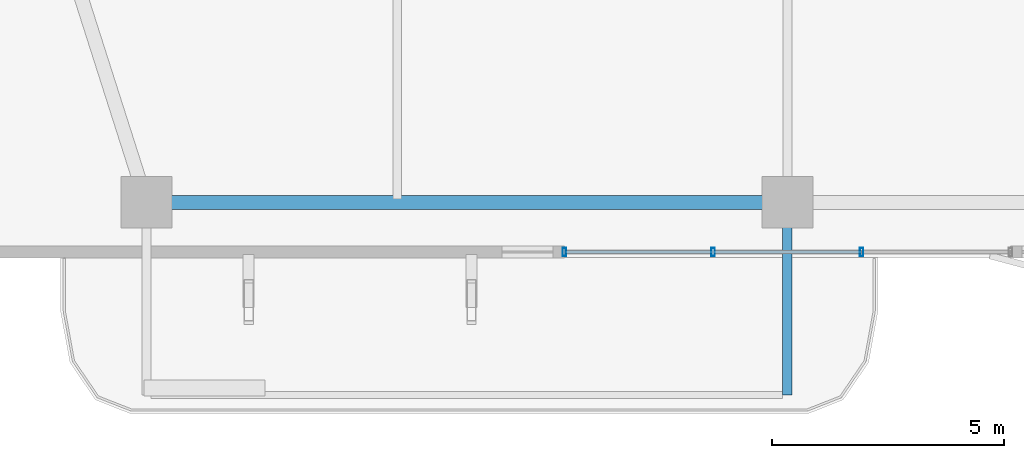
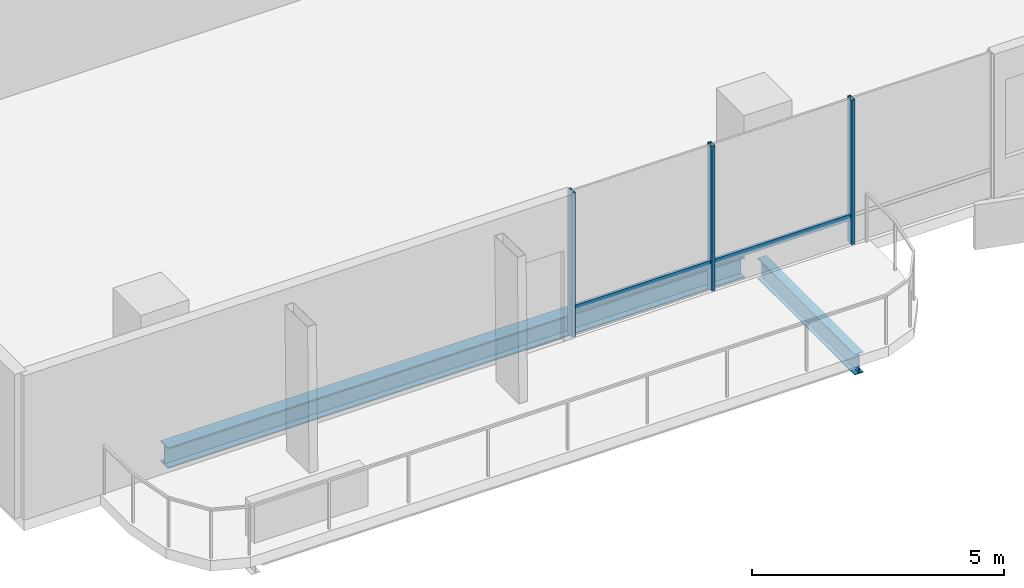
# One storey, part 2 of 25: 5 members, 2 beams, 1 element without a shape of its own.
"""IFC4 building model written with IfcOpenShell, lengths in metres."""

from ifc_helpers import new_model, si_unit, direction, frame, origin, origin_2d, place, context, subcontext, project, spatial, hollow_rectangle, i_section, extrude, material, layer, layer_set, material_profile, profile_set, type_object, element, aggregate, save


model = new_model("IFC4")

# Units and contexts
model_context = context("Model", 3, precision=1e-05, world=origin(), true_north=direction((0.0, 1.0)))
body_context = subcontext(model_context, "Body", "Model", "MODEL_VIEW")
ifc_project = project(units=[si_unit("LENGTHUNIT", "METRE"), si_unit("AREAUNIT", "SQUARE_METRE"), si_unit("VOLUMEUNIT", "CUBIC_METRE"), si_unit("PLANEANGLEUNIT", "RADIAN"), si_unit("MASSUNIT", "GRAM", prefix="KILO")], contexts=[model_context])

# Site, building, storey
site_placement = place(None, origin())
site = spatial("IfcSite", under=ifc_project, at=site_placement, CompositionType="ELEMENT")
building_placement = place(site_placement, origin())
building = spatial("IfcBuilding", under=site, at=building_placement, Name="Belovzor Exchange Tower", CompositionType="ELEMENT")
storey_placement = place(building_placement, frame((0.0, 0.0, 172.050048828125)))
storey = spatial("IfcBuildingStorey", under=building, at=storey_placement, Name="L42", CompositionType="ELEMENT", Elevation=172.050048828125)

# Beam
ifc_material_1 = material(Name="Steel S355", Category="steel")
ifc_material_profile_1 = material_profile(ifc_material_1, i_section(OverallWidth=0.199951171875, OverallDepth=0.5, WebThickness=0.01025390625, FlangeThickness=0.01611328125, at=origin_2d()))
ifc_profile_set_1 = profile_set([ifc_material_profile_1], Name="Steel S355")
beam_type_1 = type_object("IfcBeamType", Name="Planted Balcony Cantilever Beam IPE 500", PredefinedType="BEAM", material=ifc_profile_set_1)
beam_1_placement = place(storey_placement, frame((28.800048828125, 5.39697265625, -0.505126953125), z_axis=(0.0, -1.0, 0.0), x_axis=(1.0, 0.0, 0.0)))
element("IfcBeam", 1, at=beam_1_placement, inside=storey, type_object=beam_type_1, Name="BC-500 Planted Balcony Cantilever Beam IPE 500", PredefinedType="BEAM", context=body_context, shape_type="SweptSolid", body=[
    extrude(i_section(OverallWidth=0.199951171875, OverallDepth=0.5, WebThickness=0.01025390625, FlangeThickness=0.01611328125, at=origin_2d()), origin(), (0.0, 0.0, 1.0), 3.849853515625),
])

# Curtain wall, members
ifc_material_2 = material(Name="Anodised Aluminium Framing", Category="aluminium")
ifc_layer = layer(ifc_material_2, 0.179931640625)
ifc_layer_set = layer_set([ifc_layer], Name="Anodised Aluminium Framing")
curtain_wall_type = type_object("IfcCurtainWallType", Name="Recessed Loggia Low-Iron Triple-Glazed Curtain Wall", PredefinedType="NOTDEFINED", material=ifc_layer_set)
curtain_wall_placement = place(storey_placement, origin())
curtain_wall = element("IfcCurtainWall", 2, at=curtain_wall_placement, inside=storey, type_object=curtain_wall_type, Name="CW3 Recessed Loggia Low-Iron Triple-Glazed Curtain Wall L42", PredefinedType="NOTDEFINED")
ifc_material_3 = material(Name="Steel S355", Category="steel")
ifc_material_profile_2 = material_profile(ifc_material_3, hollow_rectangle(XDim=0.074951171875, YDim=0.179931640625, WallThickness=0.0048828125, at=origin_2d()))
ifc_profile_set_2 = profile_set([ifc_material_profile_2], Name="Steel S355")
member_type_1 = type_object("IfcMemberType", Name="Thermally Broken Curtain Wall Mullion 180x75", PredefinedType="MULLION", material=ifc_profile_set_2)
member_1_placement = place(storey_placement, frame((30.39990234375, 4.6298828125, 0.0), z_axis=(0.0, 0.0, 1.0), x_axis=(-1.0, 0.0, 0.0)))
member_1 = element("IfcMember", 3, at=member_1_placement, type_object=member_type_1, Name="CW-M180 Curtain Wall Mullion 2", PredefinedType="MULLION", context=body_context, shape_type="SweptSolid", body=[
    extrude(hollow_rectangle(XDim=0.074951171875, YDim=0.179931640625, WallThickness=0.0048828125, at=origin_2d()), origin(), (0.0, 0.0, 1.0), 3.494873046875),
])
member_2_placement = place(storey_placement, frame((27.199951171875, 4.6298828125, 0.0), z_axis=(0.0, 0.0, 1.0), x_axis=(-1.0, 0.0, 0.0)))
member_2 = element("IfcMember", 4, at=member_2_placement, type_object=member_type_1, Name="CW-M180 Curtain Wall Mullion 3", PredefinedType="MULLION", context=body_context, shape_type="SweptSolid", body=[
    extrude(hollow_rectangle(XDim=0.074951171875, YDim=0.179931640625, WallThickness=0.0048828125, at=origin_2d()), origin(), (0.0, 0.0, 1.0), 3.494873046875),
])
member_3_placement = place(storey_placement, frame((24.0, 4.6298828125, 0.0), z_axis=(0.0, 0.0, 1.0), x_axis=(-1.0, 0.0, 0.0)))
member_3 = element("IfcMember", 5, at=member_3_placement, type_object=member_type_1, Name="CW-M180 Curtain Wall Mullion 4", PredefinedType="MULLION", context=body_context, shape_type="SweptSolid", body=[
    extrude(hollow_rectangle(XDim=0.074951171875, YDim=0.179931640625, WallThickness=0.0048828125, at=origin_2d()), origin(), (0.0, 0.0, 1.0), 3.494873046875),
])
ifc_material_4 = material(Name="Steel S355", Category="steel")
ifc_material_profile_3 = material_profile(ifc_material_4, hollow_rectangle(XDim=0.06005859375, YDim=0.14990234375, WallThickness=0.00390625, at=origin_2d()))
ifc_profile_set_3 = profile_set([ifc_material_profile_3], Name="Steel S355")
member_type_2 = type_object("IfcMemberType", Name="Thermally Broken Curtain Wall Transom 150x60", PredefinedType="USERDEFINED", material=ifc_profile_set_3)
member_4_placement = place(storey_placement, frame((30.39208984375, 4.6298828125, 0.62890625), z_axis=(-1.0, 0.0, 0.0), x_axis=(0.0, -1.0, 0.0)))
member_4 = element("IfcMember", 6, at=member_4_placement, type_object=member_type_2, Name="CW-T150 Curtain Wall Transom 2", ObjectType="TRANSOM", PredefinedType="USERDEFINED", context=body_context, shape_type="SweptSolid", body=[
    extrude(hollow_rectangle(XDim=0.06005859375, YDim=0.14990234375, WallThickness=0.00390625, at=origin_2d()), origin(), (0.0, 0.0, 1.0), 3.18408203125),
])
member_5_placement = place(storey_placement, frame((27.19189453125, 4.6298828125, 0.62890625), z_axis=(-1.0, 0.0, 0.0), x_axis=(0.0, -1.0, 0.0)))
member_5 = element("IfcMember", 7, at=member_5_placement, type_object=member_type_2, Name="CW-T150 Curtain Wall Transom 3", ObjectType="TRANSOM", PredefinedType="USERDEFINED", context=body_context, shape_type="SweptSolid", body=[
    extrude(hollow_rectangle(XDim=0.06005859375, YDim=0.14990234375, WallThickness=0.00390625, at=origin_2d()), origin(), (0.0, 0.0, 1.0), 3.183837890625),
])
aggregate(curtain_wall, [member_1, member_2, member_3, member_4, member_5])

# Beam
ifc_material_5 = material(Name="Steel S355", Category="steel")
ifc_material_profile_4 = material_profile(ifc_material_5, i_section(OverallWidth=0.300048828125, OverallDepth=0.5, WebThickness=0.014404296875, FlangeThickness=0.028076171875, at=origin_2d()))
ifc_profile_set_4 = profile_set([ifc_material_profile_4], Name="Steel S355")
beam_type_2 = type_object("IfcBeamType", Name="Zone 3 Waist Primary Girder HEB 500", PredefinedType="BEAM", material=ifc_profile_set_4)
beam_2_placement = place(storey_placement, frame((15.302978515625, 5.699951171875, -0.505126953125), z_axis=(1.0, 0.0, 0.0), x_axis=(0.0, 1.0, 0.0)))
element("IfcBeam", 8, at=beam_2_placement, inside=storey, type_object=beam_type_2, Name="FG-Z3 Zone 3 Waist Primary Girder HEB 500", PredefinedType="BEAM", context=body_context, shape_type="SweptSolid", body=[
    extrude(i_section(OverallWidth=0.300048828125, OverallDepth=0.5, WebThickness=0.014404296875, FlangeThickness=0.028076171875, at=origin_2d()), origin(), (0.0, 0.0, 1.0), 13.195068359375),
])

save(model, "model.ifc")
